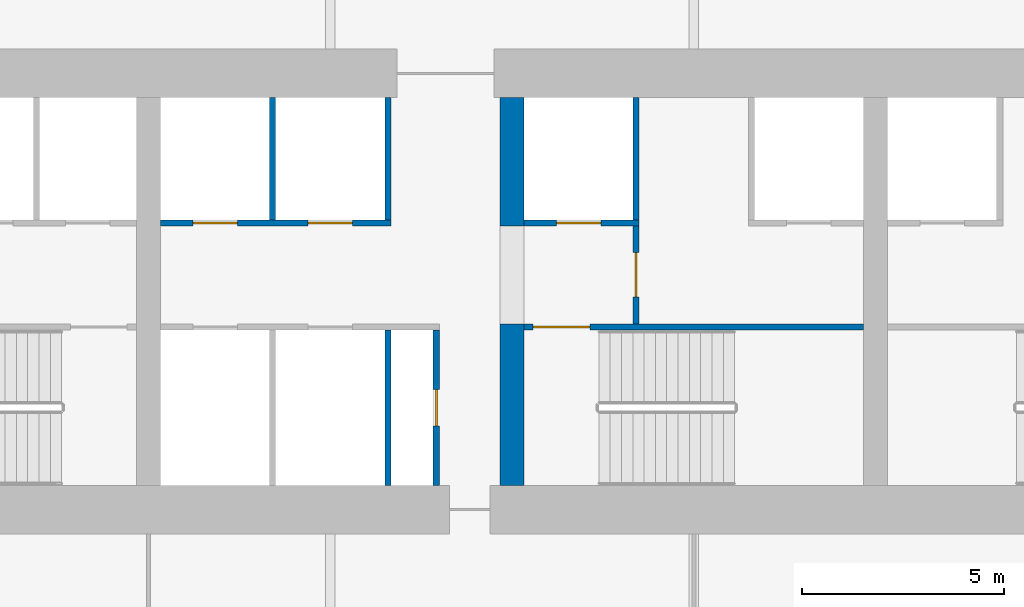
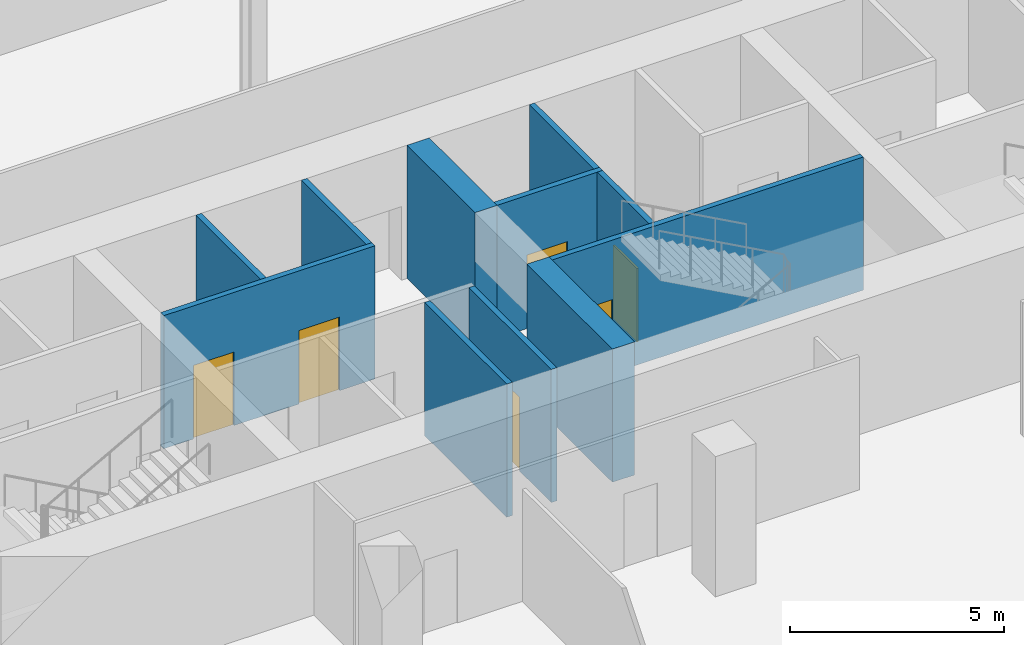
# One storey, part 4 of 12: 11 walls, 6 doors, 6 openings.
"""IFC4 building model written with IfcOpenShell, lengths in metres."""

from ifc_helpers import new_model, si_unit, direction, frame, frame_2d, origin, place, context, subcontext, project, spatial, rectangle, extrude, material, layer, layer_set, type_object, element, fill, save


model = new_model("IFC4")

# Units and contexts
model_context = context("Model", 3, precision=1e-05, world=origin(), true_north=direction((0.0, 1.0)))
body_context = subcontext(model_context, "Body", "Model", "MODEL_VIEW")
ifc_project = project(units=[si_unit("LENGTHUNIT", "METRE"), si_unit("AREAUNIT", "SQUARE_METRE"), si_unit("VOLUMEUNIT", "CUBIC_METRE"), si_unit("PLANEANGLEUNIT", "RADIAN"), si_unit("MASSUNIT", "GRAM", prefix="KILO")], contexts=[model_context])

# Site, building, storey
site_placement = place(None, origin())
site = spatial("IfcSite", under=ifc_project, at=site_placement, CompositionType="ELEMENT")
building_placement = place(site_placement, origin())
building = spatial("IfcBuilding", under=site, at=building_placement, Name="Zellij Exchange Tower", CompositionType="ELEMENT")
storey_placement = place(building_placement, frame((0.0, 0.0, 88.5)))
storey = spatial("IfcBuildingStorey", under=building, at=storey_placement, Name="L18", CompositionType="ELEMENT", Elevation=88.5)

# Walls
ifc_material_1 = material(Name="Concrete C70/85", Category="concrete")
ifc_layer_1 = layer(ifc_material_1, 0.60009765625)
ifc_layer_set_1 = layer_set([ifc_layer_1], Name="Concrete C70/85")
wall_type_1 = type_object("IfcWallType", Name="CORE-CW 600 C70/85", PredefinedType="SHEAR", material=ifc_layer_set_1)
wall_1_placement = place(storey_placement, frame((-9.0, -12.800048828125, 0.0), z_axis=(0.0, 0.0, 1.0), x_axis=(0.0, 1.0, 0.0)))
element("IfcWall", 1, at=wall_1_placement, inside=storey, type_object=wall_type_1, Name="Core cross wall pier x -9 a L18", PredefinedType="SHEAR", context=body_context, shape_type="SweptSolid", body=[
    extrude(rectangle(XDim=4.0, YDim=0.60009765625, at=frame_2d((2.0, 0.0))), origin(), (0.0, 0.0, 1.0), 3.800048828125),
])
wall_2_placement = place(storey_placement, frame((-9.0, -6.375, 0.0), z_axis=(0.0, 0.0, 1.0), x_axis=(0.0, 1.0, 0.0)))
element("IfcWall", 2, at=wall_2_placement, inside=storey, type_object=wall_type_1, Name="Core cross wall pier x -9 b L18", PredefinedType="SHEAR", context=body_context, shape_type="SweptSolid", body=[
    extrude(rectangle(XDim=3.175048828125, YDim=0.60009765625, at=frame_2d((1.58740234375, 0.0))), origin(), (0.0, 0.0, 1.0), 3.800048828125),
])

# Wall, opening, door
ifc_material_2 = material(Name="Gypsum shaft wall system")
ifc_layer_2 = layer(ifc_material_2, 0.14990234375)
ifc_layer_set_2 = layer_set([ifc_layer_2], Name="Gypsum shaft wall system")
wall_type_2 = type_object("IfcWallType", Name="CORE-PW 150 Firefighting lobby wall", PredefinedType="PARTITIONING", material=ifc_layer_set_2)
wall_3_placement = place(storey_placement, frame((-5.925048828125, -8.800048828125, 0.0), z_axis=(0.0, 0.0, 1.0), x_axis=(0.0, 1.0, 0.0)))
wall_3 = element("IfcWall", 3, at=wall_3_placement, inside=storey, type_object=wall_type_2, Name="Firefighting lobby wall L18", PredefinedType="PARTITIONING", context=body_context, shape_type="SweptSolid", body=[
    extrude(rectangle(XDim=2.425048828125, YDim=0.14990234375, at=frame_2d((1.21240234375, 0.0))), origin(), (0.0, 0.0, 1.0), 3.800048828125),
])
opening_1_placement = place(wall_3_placement, frame((0.662109375, 0.0, 0.0)))
opening_1 = element("IfcOpeningElement", 4, at=opening_1_placement, cuts=wall_3, Name="Opening CA-10.15", PredefinedType="OPENING", context=body_context, shape_type="SweptSolid", body=[
    extrude(rectangle(XDim=1.10009765625, YDim=2.10009765625, at=frame_2d((0.550048828125, 1.050048828125))), frame((0.0, 0.0869140625, 0.0), z_axis=(0.0, -1.0, 0.0), x_axis=(1.0, 0.0, 0.0)), (0.0, 0.0, 1.0), 0.173828125),
])
ifc_material_3 = material(Name="Hollow metal fire door")
door_type_1 = type_object("IfcDoorType", Name="CORE-D F Firefighting lobby door 1100x2100 1 HR", OperationType="NOTDEFINED", PredefinedType="DOOR", material=ifc_material_3)
door_1_placement = place(opening_1_placement, origin())
door_1 = element("IfcDoor", 5, at=door_1_placement, inside=storey, type_object=door_type_1, Name="Firefighting lobby door CA-10.15", OperationType="SINGLE_SWING_LEFT", OverallHeight=2.10009765625, OverallWidth=1.10009765625, PredefinedType="DOOR", context=body_context, shape_type="SweptSolid", body=[
    extrude(rectangle(XDim=1.10009765625, YDim=2.10009765625, at=frame_2d((0.550048828125, 1.050048828125))), frame((0.0, 0.02490234375, 0.0), z_axis=(0.0, -1.0, 0.0), x_axis=(1.0, 0.0, 0.0)), (0.0, 0.0, 1.0), 0.050048828125),
])
fill(opening_1, door_1)

ifc_material_4 = material(Name="Gypsum board partition")
ifc_layer_3 = layer(ifc_material_4, 0.14990234375)
ifc_layer_set_3 = layer_set([ifc_layer_3], Name="Gypsum board partition")
wall_type_3 = type_object("IfcWallType", Name="CORE-PW 150 Lift lobby wall", PredefinedType="PARTITIONING", material=ifc_layer_set_3)
wall_4_placement = place(storey_placement, frame((-10.875, -12.800048828125, 0.0), z_axis=(0.0, 0.0, 1.0), x_axis=(0.0, 1.0, 0.0)))
wall_4 = element("IfcWall", 6, at=wall_4_placement, inside=storey, type_object=wall_type_3, Name="Lift lobby wall L18", PredefinedType="PARTITIONING", context=body_context, shape_type="SweptSolid", body=[
    extrude(rectangle(XDim=3.85009765625, YDim=0.14990234375, at=frame_2d((1.925048828125, 0.0))), origin(), (0.0, 0.0, 1.0), 3.800048828125),
])
opening_2_placement = place(wall_4_placement, frame((1.47509765625, 0.0, 0.0)))
opening_2 = element("IfcOpeningElement", 7, at=opening_2_placement, cuts=wall_4, Name="Opening CA-10.10", PredefinedType="OPENING", context=body_context, shape_type="SweptSolid", body=[
    extrude(rectangle(XDim=0.89990234375, YDim=2.10009765625, at=frame_2d((0.449951171875, 1.050048828125))), frame((0.0, 0.0869140625, 0.0), z_axis=(0.0, -1.0, 0.0), x_axis=(1.0, 0.0, 0.0)), (0.0, 0.0, 1.0), 0.173828125),
])
door_type_2 = type_object("IfcDoorType", Name="CORE-D RD Riser door 900x2100 1.5 HR", OperationType="NOTDEFINED", PredefinedType="DOOR", material=ifc_material_3)
door_2_placement = place(opening_2_placement, origin())
door_2 = element("IfcDoor", 8, at=door_2_placement, inside=storey, type_object=door_type_2, Name="Riser door CA-10.10", OperationType="SINGLE_SWING_RIGHT", OverallHeight=2.10009765625, OverallWidth=0.89990234375, PredefinedType="DOOR", context=body_context, shape_type="SweptSolid", body=[
    extrude(rectangle(XDim=0.89990234375, YDim=2.10009765625, at=frame_2d((0.449951171875, 1.050048828125))), frame((0.0, 0.02490234375, 0.0), z_axis=(0.0, -1.0, 0.0), x_axis=(1.0, 0.0, 0.0)), (0.0, 0.0, 1.0), 0.050048828125),
])
fill(opening_2, door_2)

# Walls
ifc_layer_4 = layer(ifc_material_2, 0.14990234375)
ifc_layer_set_4 = layer_set([ifc_layer_4], Name="Gypsum shaft wall system")
wall_type_4 = type_object("IfcWallType", Name="CORE-PW 150 Lift shaft wall", PredefinedType="PARTITIONING", material=ifc_layer_set_4)
for number, where, z_axis, x_axis, name in (
    (9, (-12.074951171875, -6.22509765625, 0.0), (0.0, 0.0, 1.0), (0.0, 1.0, 0.0), "Lift shaft wall L18"),
    (10, (-14.925048828125, -6.22509765625, 0.0), (0.0, 0.0, 1.0), (0.0, 1.0, 0.0), "Lift shaft wall L18"),
    (11, (-5.925048828125, -6.22509765625, 0.0), (0.0, 0.0, 1.0), (0.0, 1.0, 0.0), "Lift shaft wall L18"),
):
    element("IfcWall", number, at=place(storey_placement, frame(where, z_axis=z_axis, x_axis=x_axis)), inside=storey, type_object=wall_type_4, Name=name, PredefinedType="PARTITIONING", context=body_context, shape_type="SweptSolid", body=[
        extrude(rectangle(XDim=3.025146484375, YDim=0.14990234375, at=frame_2d((1.5126953125, 0.0))), origin(), (0.0, 0.0, 1.0), 3.800048828125),
    ])
wall_5_placement = place(storey_placement, frame((-12.074951171875, -12.800048828125, 0.0), z_axis=(0.0, 0.0, 1.0), x_axis=(0.0, 1.0, 0.0)))
element("IfcWall", 12, at=wall_5_placement, inside=storey, type_object=wall_type_4, Name="Lift shaft wall L18", PredefinedType="PARTITIONING", context=body_context, shape_type="SweptSolid", body=[
    extrude(rectangle(XDim=3.85009765625, YDim=0.14990234375, at=frame_2d((1.925048828125, 0.0))), origin(), (0.0, 0.0, 1.0), 3.800048828125),
])

# Wall, openings, doors
wall_6_placement = place(storey_placement, frame((-17.699951171875, -6.300048828125, 0.0), z_axis=(0.0, 0.0, 1.0), x_axis=(1.0, 0.0, 0.0)))
wall_6 = element("IfcWall", 13, at=wall_6_placement, inside=storey, type_object=wall_type_4, Name="Lift shaft wall L18", PredefinedType="PARTITIONING", context=body_context, shape_type="SweptSolid", body=[
    extrude(rectangle(XDim=5.699951171875, YDim=0.14990234375, at=frame_2d((2.85009765625, 0.0))), origin(), (0.0, 0.0, 1.0), 3.800048828125),
])
opening_3_placement = place(wall_6_placement, frame((0.800048828125, 0.0, 0.0)))
opening_3 = element("IfcOpeningElement", 14, at=opening_3_placement, cuts=wall_6, Name="Opening CA-10.07", PredefinedType="OPENING", context=body_context, shape_type="SweptSolid", body=[
    extrude(rectangle(XDim=1.10009765625, YDim=2.10009765625, at=frame_2d((0.550048828125, 1.050048828125))), frame((0.0, 0.0869140625, 0.0), z_axis=(0.0, -1.0, 0.0), x_axis=(1.0, 0.0, 0.0)), (0.0, 0.0, 1.0), 0.173828125),
])
opening_4_placement = place(wall_6_placement, frame((3.64990234375, 0.0, 0.0)))
opening_4 = element("IfcOpeningElement", 15, at=opening_4_placement, cuts=wall_6, Name="Opening CA-10.09", PredefinedType="OPENING", context=body_context, shape_type="SweptSolid", body=[
    extrude(rectangle(XDim=1.10009765625, YDim=2.10009765625, at=frame_2d((0.550048828125, 1.050048828125))), frame((0.0, 0.0869140625, 0.0), z_axis=(0.0, -1.0, 0.0), x_axis=(1.0, 0.0, 0.0)), (0.0, 0.0, 1.0), 0.173828125),
])
door_type_3 = type_object("IfcDoorType", Name="CORE-D LD Lift landing door 1100x2100 1.5 HR", OperationType="NOTDEFINED", PredefinedType="DOOR", material=ifc_material_3)
door_3_placement = place(opening_3_placement, origin())
door_3 = element("IfcDoor", 16, at=door_3_placement, inside=storey, type_object=door_type_3, Name="Lift landing door CA-10.07", OperationType="SLIDING_TO_LEFT", OverallHeight=2.10009765625, OverallWidth=1.10009765625, PredefinedType="DOOR", context=body_context, shape_type="SweptSolid", body=[
    extrude(rectangle(XDim=1.10009765625, YDim=2.10009765625, at=frame_2d((0.550048828125, 1.050048828125))), frame((0.0, 0.02490234375, 0.0), z_axis=(0.0, -1.0, 0.0), x_axis=(1.0, 0.0, 0.0)), (0.0, 0.0, 1.0), 0.050048828125),
])
fill(opening_3, door_3)
door_4_placement = place(opening_4_placement, origin())
door_4 = element("IfcDoor", 17, at=door_4_placement, inside=storey, type_object=door_type_3, Name="Lift landing door CA-10.09", OperationType="SLIDING_TO_LEFT", OverallHeight=2.10009765625, OverallWidth=1.10009765625, PredefinedType="DOOR", context=body_context, shape_type="SweptSolid", body=[
    extrude(rectangle(XDim=1.10009765625, YDim=2.10009765625, at=frame_2d((0.550048828125, 1.050048828125))), frame((0.0, 0.02490234375, 0.0), z_axis=(0.0, -1.0, 0.0), x_axis=(1.0, 0.0, 0.0)), (0.0, 0.0, 1.0), 0.050048828125),
])
fill(opening_4, door_4)

# Wall, opening, door
wall_7_placement = place(storey_placement, frame((-8.699951171875, -6.300048828125, 0.0), z_axis=(0.0, 0.0, 1.0), x_axis=(1.0, 0.0, 0.0)))
wall_7 = element("IfcWall", 18, at=wall_7_placement, inside=storey, type_object=wall_type_4, Name="Lift shaft wall L18", PredefinedType="PARTITIONING", context=body_context, shape_type="SweptSolid", body=[
    extrude(rectangle(XDim=2.849853515625, YDim=0.14990234375, at=frame_2d((1.4248046875, 0.0))), origin(), (0.0, 0.0, 1.0), 3.800048828125),
])
opening_5_placement = place(wall_7_placement, frame((0.800048828125, 0.0, 0.0)))
opening_5 = element("IfcOpeningElement", 19, at=opening_5_placement, cuts=wall_7, Name="Opening CA-10.14", PredefinedType="OPENING", context=body_context, shape_type="SweptSolid", body=[
    extrude(rectangle(XDim=1.10009765625, YDim=2.10009765625, at=frame_2d((0.550048828125, 1.050048828125))), frame((0.0, 0.0869140625, 0.0), z_axis=(0.0, -1.0, 0.0), x_axis=(1.0, 0.0, 0.0)), (0.0, 0.0, 1.0), 0.173828125),
])
door_5_placement = place(opening_5_placement, origin())
door_5 = element("IfcDoor", 20, at=door_5_placement, inside=storey, type_object=door_type_3, Name="Lift landing door CA-10.14", OperationType="SLIDING_TO_RIGHT", OverallHeight=2.10009765625, OverallWidth=1.10009765625, PredefinedType="DOOR", context=body_context, shape_type="SweptSolid", body=[
    extrude(rectangle(XDim=1.10009765625, YDim=2.10009765625, at=frame_2d((0.550048828125, 1.050048828125))), frame((0.0, 0.02490234375, 0.0), z_axis=(0.0, -1.0, 0.0), x_axis=(1.0, 0.0, 0.0)), (0.0, 0.0, 1.0), 0.050048828125),
])
fill(opening_5, door_5)

ifc_layer_5 = layer(ifc_material_1, 0.14990234375)
ifc_layer_set_5 = layer_set([ifc_layer_5], Name="Concrete C70/85")
wall_type_5 = type_object("IfcWallType", Name="CORE-SWS 150 C70/85", PredefinedType="SHEAR", material=ifc_layer_set_5)
wall_8_placement = place(storey_placement, frame((-8.699951171875, -8.875, 0.0), z_axis=(0.0, 0.0, 1.0), x_axis=(1.0, 0.0, 0.0)))
wall_8 = element("IfcWall", 21, at=wall_8_placement, inside=storey, type_object=wall_type_5, Name="Stair enclosure wall L18", PredefinedType="SHEAR", context=body_context, shape_type="SweptSolid", body=[
    extrude(rectangle(XDim=8.39990234375, YDim=0.14990234375, at=frame_2d((4.199951171875, 0.0))), origin(), (0.0, 0.0, 1.0), 3.800048828125),
])
opening_6_placement = place(wall_8_placement, frame((0.22509765625, 0.0, 0.0)))
opening_6 = element("IfcOpeningElement", 22, at=opening_6_placement, cuts=wall_8, Name="Opening CA-10.13", PredefinedType="OPENING", context=body_context, shape_type="SweptSolid", body=[
    extrude(rectangle(XDim=1.39990234375, YDim=2.10009765625, at=frame_2d((0.699951171875, 1.050048828125))), frame((0.0, 0.0869140625, 0.0), z_axis=(0.0, -1.0, 0.0), x_axis=(1.0, 0.0, 0.0)), (0.0, 0.0, 1.0), 0.173828125),
])
door_type_4 = type_object("IfcDoorType", Name="CORE-D SD Stair door 1400x2100 1.5 HR", OperationType="NOTDEFINED", PredefinedType="DOOR", material=ifc_material_3)
door_6_placement = place(opening_6_placement, origin())
door_6 = element("IfcDoor", 23, at=door_6_placement, inside=storey, type_object=door_type_4, Name="Stair door CA-10.13", OperationType="DOUBLE_DOOR_SINGLE_SWING", OverallHeight=2.10009765625, OverallWidth=1.39990234375, PredefinedType="DOOR", context=body_context, shape_type="SweptSolid", body=[
    extrude(rectangle(XDim=1.39990234375, YDim=2.10009765625, at=frame_2d((0.699951171875, 1.050048828125))), frame((0.0, 0.02490234375, 0.0), z_axis=(0.0, -1.0, 0.0), x_axis=(1.0, 0.0, 0.0)), (0.0, 0.0, 1.0), 0.050048828125),
])
fill(opening_6, door_6)

save(model, "model.ifc")
